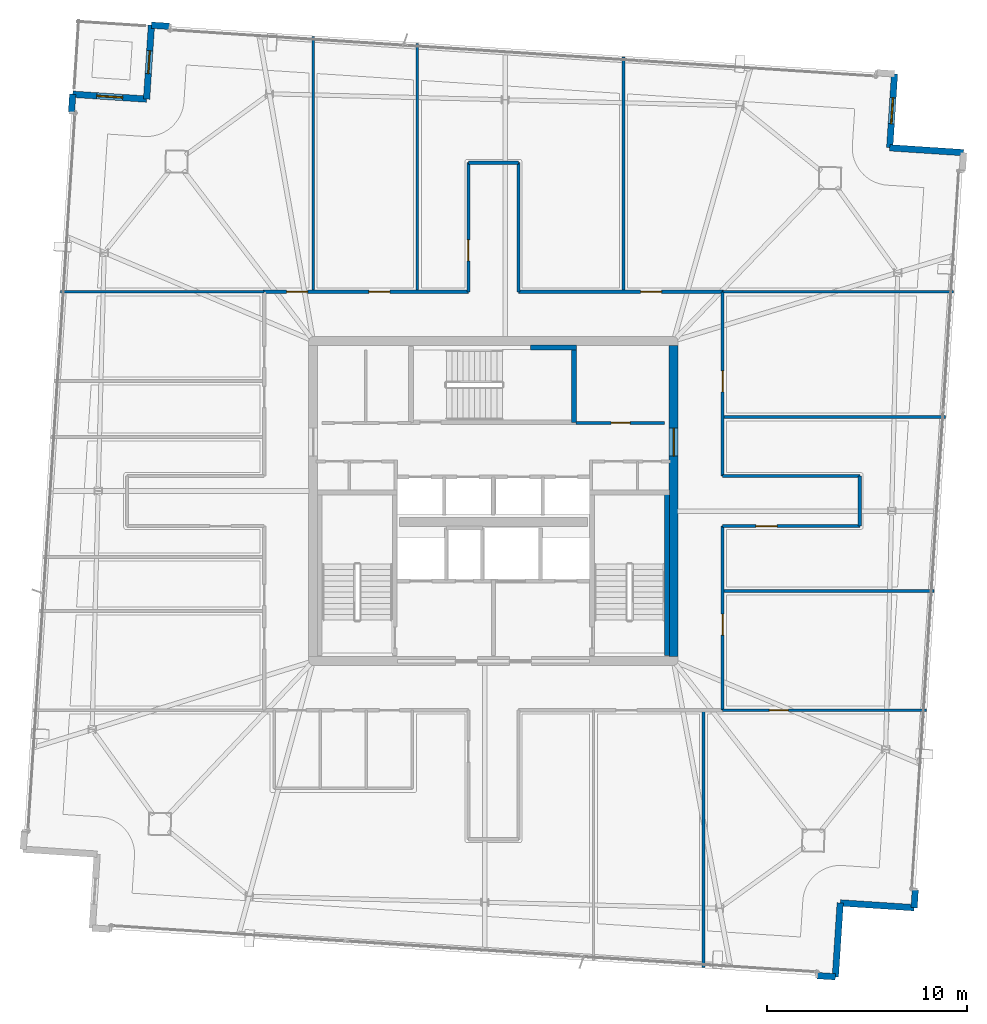
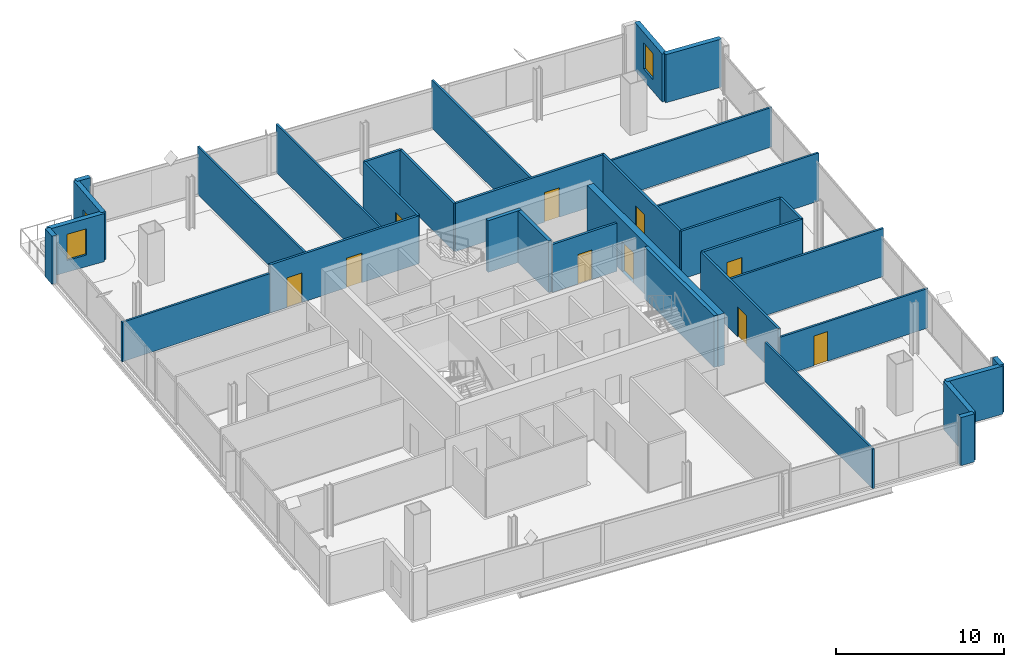
# One storey, part 20 of 24: 34 walls, 11 doors, 2 windows, 13 openings.
"""IFC4 building model written with IfcOpenShell, lengths in metres."""

from ifc_helpers import new_model, si_unit, direction, frame, frame_2d, origin, place, context, subcontext, project, spatial, rectangle, extrude, material, layer, layer_set, type_object, element, fill, save


model = new_model("IFC4")

# Units and contexts
model_context = context("Model", 3, precision=1e-05, world=origin(), true_north=direction((0.0, 1.0)))
body_context = subcontext(model_context, "Body", "Model", "MODEL_VIEW")
ifc_project = project(units=[si_unit("LENGTHUNIT", "METRE"), si_unit("AREAUNIT", "SQUARE_METRE"), si_unit("VOLUMEUNIT", "CUBIC_METRE"), si_unit("PLANEANGLEUNIT", "RADIAN"), si_unit("MASSUNIT", "GRAM", prefix="KILO")], contexts=[model_context])

# Site, building, storey
site_placement = place(None, origin())
site = spatial("IfcSite", under=ifc_project, at=site_placement, CompositionType="ELEMENT")
building_placement = place(site_placement, origin())
building = spatial("IfcBuilding", under=site, at=building_placement, Name="Haldenkirk Collegiate Tower", CompositionType="ELEMENT")
storey_placement = place(building_placement, frame((0.0, 0.0, 317.699951171875)))
storey = spatial("IfcBuildingStorey", under=building, at=storey_placement, Name="L80", CompositionType="ELEMENT", Elevation=317.699951171875)

# Wall, opening, door
ifc_material_1 = material(Name="Concrete f'c 55 MPa", Category="concrete")
ifc_layer_1 = layer(ifc_material_1, 0.449951171875)
ifc_layer_set_1 = layer_set([ifc_layer_1], Name="Concrete f'c 55 MPa")
wall_type_1 = type_object("IfcWallType", Name="WL-CORE-450", PredefinedType="SHEAR", material=ifc_layer_set_1)
wall_1_placement = place(storey_placement, frame((45.0, 18.22509765625, 0.0), z_axis=(0.0, 0.0, 1.0), x_axis=(0.0, 1.0, 0.0)))
wall_1 = element("IfcWall", 1, at=wall_1_placement, inside=storey, type_object=wall_type_1, Name="L80 central core shear wall E", PredefinedType="SHEAR", context=body_context, shape_type="SweptSolid", body=[
    extrude(rectangle(XDim=15.5498046875, YDim=0.449951171875, at=frame_2d((7.77490234375, 0.0))), origin(), (0.0, 0.0, 1.0), 3.75),
])
opening_1_placement = place(wall_1_placement, frame((10.014892578125, 0.0, 0.0)))
opening_1 = element("IfcOpeningElement", 2, at=opening_1_placement, cuts=wall_1, Name="Opening D-03", PredefinedType="OPENING", context=body_context, shape_type="SweptSolid", body=[
    extrude(rectangle(XDim=1.39990234375, YDim=2.199951171875, at=frame_2d((0.699951171875, 1.10009765625))), frame((0.0, 0.23486328125, 0.0), z_axis=(0.0, -1.0, 0.0), x_axis=(1.0, 0.0, 0.0)), (0.0, 0.0, 1.0), 0.469970703125),
])
ifc_material_2 = material(Name="Galvanized fire-rated hollow steel door", Category="steel")
ifc_layer_2 = layer(ifc_material_2, 0.06005859375)
ifc_layer_set_2 = layer_set([ifc_layer_2], Name="Galvanized fire-rated hollow steel door")
door_type_1 = type_object("IfcDoorType", Name="DR-LOBBY-FD90-1400", OperationType="NOTDEFINED", PredefinedType="DOOR", material=ifc_layer_set_2)
door_1_placement = place(opening_1_placement, origin())
door_1 = element("IfcDoor", 3, at=door_1_placement, inside=storey, type_object=door_type_1, Name="L80 east lift lobby portal", OperationType="DOUBLE_DOOR_SINGLE_SWING", OverallHeight=2.199951171875, OverallWidth=1.39990234375, PredefinedType="DOOR", context=body_context, shape_type="SweptSolid", body=[
    extrude(rectangle(XDim=1.39990234375, YDim=2.199951171875, at=frame_2d((0.699951171875, 1.10009765625))), frame((0.0, 0.02490234375, 0.0), z_axis=(0.0, -1.0, 0.0), x_axis=(1.0, 0.0, 0.0)), (0.0, 0.0, 1.0), 0.050048828125),
])
fill(opening_1, door_1)

# Walls
ifc_material_3 = material(Name="Precast concrete f'c 40 MPa", Category="concrete")
ifc_layer_3 = layer(ifc_material_3, 0.320068359375)
ifc_layer_set_3 = layer_set([ifc_layer_3], Name="Precast concrete f'c 40 MPa")
wall_type_2 = type_object("IfcWallType", Name="WL-EXT-TWR-320", PredefinedType="STANDARD", material=ifc_layer_set_3)
wall_2_placement = place(storey_placement, frame((57.074951171875, 6.580078125, 0.0), z_axis=(0.0, 0.0, 1.0), x_axis=(-0.065366831665, -0.997861301644, 0.0)))
element("IfcWall", 4, at=wall_2_placement, inside=storey, type_object=wall_type_2, Name="L80 precast corner pier SR", PredefinedType="STANDARD", context=body_context, shape_type="SweptSolid", body=[
    extrude(rectangle(XDim=0.900146484375, YDim=0.320068359375, at=frame_2d((0.4501953125, 0.0))), origin(), (0.0, 0.0, 1.0), 3.489990234375),
])
wall_3_placement = place(storey_placement, frame((55.79638671875, 43.64306640625, 0.0), z_axis=(0.0, 0.0, 1.0), x_axis=(0.997855253572, -0.065459093476, 0.0)))
element("IfcWall", 5, at=wall_3_placement, inside=storey, type_object=wall_type_2, Name="L80 bronze precast notch wall 02", PredefinedType="STANDARD", context=body_context, shape_type="SweptSolid", body=[
    extrude(rectangle(XDim=3.699951171875, YDim=0.320068359375, at=frame_2d((1.85009765625, 0.0))), origin(), (0.0, 0.0, 1.0), 3.489990234375),
])

# Wall, opening, window
wall_4_placement = place(storey_placement, frame((56.038330078125, 47.335205078125, 0.0), z_axis=(0.0, 0.0, 1.0), x_axis=(-0.065389083196, -0.997859843765, 0.0)))
wall_4 = element("IfcWall", 6, at=wall_4_placement, inside=storey, type_object=wall_type_2, Name="L80 bronze precast notch wall 03", PredefinedType="STANDARD", context=body_context, shape_type="SweptSolid", body=[
    extrude(rectangle(XDim=3.699951171875, YDim=0.320068359375, at=frame_2d((1.85009765625, 0.0))), origin(), (0.0, 0.0, 1.0), 3.489990234375),
])
opening_2_placement = place(wall_4_placement, frame((1.199951171875, 0.0, 0.85009765625)))
opening_2 = element("IfcOpeningElement", 7, at=opening_2_placement, cuts=wall_4, Name="Opening W-08", PredefinedType="OPENING", context=body_context, shape_type="SweptSolid", body=[
    extrude(rectangle(XDim=1.300048828125, YDim=1.89990234375, at=frame_2d((0.64990234375, 0.949951171875))), frame((0.0, 0.169921875, 0.0), z_axis=(0.0, -1.0, 0.0), x_axis=(1.0, 0.0, 0.0)), (0.0, 0.0, 1.0), 0.340087890625),
])
ifc_material_4 = material(Name="Low-E argon triple insulating glass", Category="glass")
ifc_layer_4 = layer(ifc_material_4, 0.090087890625)
ifc_layer_set_4 = layer_set([ifc_layer_4], Name="Low-E argon triple insulating glass")
window_type = type_object("IfcWindowType", Name="WN-Z6-1300X1900", PartitioningType="SINGLE_PANEL", PredefinedType="WINDOW", material=ifc_layer_set_4)
window_1_placement = place(opening_2_placement, origin())
window_1 = element("IfcWindow", 8, at=window_1_placement, inside=storey, type_object=window_type, Name="L80 precast-frame academic window 2", OverallHeight=1.89990234375, OverallWidth=1.300048828125, PartitioningType="SINGLE_PANEL", PredefinedType="WINDOW", context=body_context, shape_type="SweptSolid", body=[
    extrude(rectangle(XDim=1.300048828125, YDim=1.89990234375, at=frame_2d((0.64990234375, 0.949951171875))), frame((0.0, 0.030029296875, 0.0), z_axis=(0.0, -1.0, 0.0), x_axis=(1.0, 0.0, 0.0)), (0.0, 0.0, 1.0), 0.06005859375),
])
fill(opening_2, window_1)

# Wall
wall_5_placement = place(storey_placement, frame((18.91796875, 49.76806640625, 0.0), z_axis=(0.0, 0.0, 1.0), x_axis=(0.997860142248, -0.065384528081, 0.0)))
element("IfcWall", 9, at=wall_5_placement, inside=storey, type_object=wall_type_2, Name="L80 precast corner pier EL", PredefinedType="STANDARD", context=body_context, shape_type="SweptSolid", body=[
    extrude(rectangle(XDim=0.89990234375, YDim=0.320068359375, at=frame_2d((0.449951171875, 0.0))), origin(), (0.0, 0.0, 1.0), 3.489990234375),
])

# Wall, opening, door
wall_6_placement = place(storey_placement, frame((18.67578125, 46.075927734375, 0.0), z_axis=(0.0, 0.0, 1.0), x_axis=(0.065454783575, 0.997855536291, 0.0)))
wall_6 = element("IfcWall", 10, at=wall_6_placement, inside=storey, type_object=wall_type_2, Name="L80 bronze precast notch wall 05", PredefinedType="STANDARD", context=body_context, shape_type="SweptSolid", body=[
    extrude(rectangle(XDim=3.7001953125, YDim=0.320068359375, at=frame_2d((1.85009765625, 0.0))), origin(), (0.0, 0.0, 1.0), 3.489990234375),
])
opening_3_placement = place(wall_6_placement, frame((1.27490234375, 0.0, 0.0)))
opening_3 = element("IfcOpeningElement", 11, at=opening_3_placement, cuts=wall_6, Name="Opening D-ST11", PredefinedType="OPENING", context=body_context, shape_type="SweptSolid", body=[
    extrude(rectangle(XDim=1.14990234375, YDim=2.199951171875, at=frame_2d((0.574951171875, 1.10009765625))), frame((0.0, 0.169921875, 0.0), z_axis=(0.0, -1.0, 0.0), x_axis=(1.0, 0.0, 0.0)), (0.0, 0.0, 1.0), 0.340087890625),
])
ifc_material_5 = material(Name="Anodised architectural bronze aluminium", Category="aluminium")
ifc_layer_5 = layer(ifc_material_5, 0.080078125)
ifc_layer_set_5 = layer_set([ifc_layer_5], Name="Anodised architectural bronze aluminium")
door_type_2 = type_object("IfcDoorType", Name="DR-EXT-STER-1150", OperationType="NOTDEFINED", PredefinedType="DOOR", material=ifc_layer_set_5)
door_2_placement = place(opening_3_placement, origin())
door_2 = element("IfcDoor", 12, at=door_2_placement, inside=storey, type_object=door_type_2, Name="L80 spiralling terrace door", OperationType="SINGLE_SWING_LEFT", OverallHeight=2.199951171875, OverallWidth=1.14990234375, PredefinedType="DOOR", context=body_context, shape_type="SweptSolid", body=[
    extrude(rectangle(XDim=1.14990234375, YDim=2.199951171875, at=frame_2d((0.574951171875, 1.10009765625))), frame((0.0, 0.02490234375, 0.0), z_axis=(0.0, -1.0, 0.0), x_axis=(1.0, 0.0, 0.0)), (0.0, 0.0, 1.0), 0.050048828125),
])
fill(opening_3, door_2)

# Wall, opening, window
wall_7_placement = place(storey_placement, frame((14.98388671875, 46.318115234375, 0.0), z_axis=(0.0, 0.0, 1.0), x_axis=(0.997855253572, -0.065459093476, 0.0)))
wall_7 = element("IfcWall", 13, at=wall_7_placement, inside=storey, type_object=wall_type_2, Name="L80 bronze precast notch wall 06", PredefinedType="STANDARD", context=body_context, shape_type="SweptSolid", body=[
    extrude(rectangle(XDim=3.699951171875, YDim=0.320068359375, at=frame_2d((1.85009765625, 0.0))), origin(), (0.0, 0.0, 1.0), 3.489990234375),
])
opening_4_placement = place(wall_7_placement, frame((1.199951171875, 0.0, 0.85009765625)))
opening_4 = element("IfcOpeningElement", 14, at=opening_4_placement, cuts=wall_7, Name="Opening W-08", PredefinedType="OPENING", context=body_context, shape_type="SweptSolid", body=[
    extrude(rectangle(XDim=1.300048828125, YDim=1.89990234375, at=frame_2d((0.64990234375, 0.949951171875))), frame((0.0, 0.169921875, 0.0), z_axis=(0.0, -1.0, 0.0), x_axis=(1.0, 0.0, 0.0)), (0.0, 0.0, 1.0), 0.340087890625),
])
window_2_placement = place(opening_4_placement, origin())
window_2 = element("IfcWindow", 15, at=window_2_placement, inside=storey, type_object=window_type, Name="L80 precast-frame academic window 5", OverallHeight=1.89990234375, OverallWidth=1.300048828125, PartitioningType="SINGLE_PANEL", PredefinedType="WINDOW", context=body_context, shape_type="SweptSolid", body=[
    extrude(rectangle(XDim=1.300048828125, YDim=1.89990234375, at=frame_2d((0.64990234375, 0.949951171875))), frame((0.0, 0.030029296875, 0.0), z_axis=(0.0, -1.0, 0.0), x_axis=(1.0, 0.0, 0.0)), (0.0, 0.0, 1.0), 0.06005859375),
])
fill(opening_4, window_2)

# Walls
wall_8_placement = place(storey_placement, frame((14.925048828125, 45.419921875, 0.0), z_axis=(0.0, 0.0, 1.0), x_axis=(0.065366831665, 0.997861301644, 0.0)))
element("IfcWall", 16, at=wall_8_placement, inside=storey, type_object=wall_type_2, Name="L80 precast corner pier NR", PredefinedType="STANDARD", context=body_context, shape_type="SweptSolid", body=[
    extrude(rectangle(XDim=0.900146484375, YDim=0.320068359375, at=frame_2d((0.4501953125, 0.0))), origin(), (0.0, 0.0, 1.0), 3.489990234375),
])
wall_9_placement = place(storey_placement, frame((53.08203125, 2.23193359375, 0.0), z_axis=(0.0, 0.0, 1.0), x_axis=(-0.997860142248, 0.065384528081, 0.0)))
element("IfcWall", 17, at=wall_9_placement, inside=storey, type_object=wall_type_2, Name="L80 precast corner pier WL", PredefinedType="STANDARD", context=body_context, shape_type="SweptSolid", body=[
    extrude(rectangle(XDim=0.89990234375, YDim=0.320068359375, at=frame_2d((0.449951171875, 0.0))), origin(), (0.0, 0.0, 1.0), 3.489990234375),
])
wall_10_placement = place(storey_placement, frame((53.32421875, 5.924072265625, 0.0), z_axis=(0.0, 0.0, 1.0), x_axis=(-0.065454783575, -0.997855536291, 0.0)))
element("IfcWall", 18, at=wall_10_placement, inside=storey, type_object=wall_type_2, Name="L80 bronze precast notch wall 11", PredefinedType="STANDARD", context=body_context, shape_type="SweptSolid", body=[
    extrude(rectangle(XDim=3.7001953125, YDim=0.320068359375, at=frame_2d((1.85009765625, 0.0))), origin(), (0.0, 0.0, 1.0), 3.489990234375),
])
wall_11_placement = place(storey_placement, frame((57.01611328125, 5.681884765625, 0.0), z_axis=(0.0, 0.0, 1.0), x_axis=(-0.997855253572, 0.065459093476, 0.0)))
element("IfcWall", 19, at=wall_11_placement, inside=storey, type_object=wall_type_2, Name="L80 bronze precast notch wall 12", PredefinedType="STANDARD", context=body_context, shape_type="SweptSolid", body=[
    extrude(rectangle(XDim=3.699951171875, YDim=0.320068359375, at=frame_2d((1.85009765625, 0.0))), origin(), (0.0, 0.0, 1.0), 3.489990234375),
])

# Wall, opening, door
ifc_material_6 = material(Name="Acoustic fire-rated gypsum partition", Category="concrete")
ifc_layer_6 = layer(ifc_material_6, 0.159912109375)
ifc_layer_set_6 = layer_set([ifc_layer_6], Name="Acoustic fire-rated gypsum partition")
wall_type_3 = type_object("IfcWallType", Name="WL-INT-CORR-160", PredefinedType="PARTITIONING", material=ifc_layer_set_6)
wall_12_placement = place(storey_placement, frame((40.1201171875, 29.89990234375, 0.0), z_axis=(0.0, 0.0, 1.0), x_axis=(1.0, 0.0, 0.0)))
wall_12 = element("IfcWall", 20, at=wall_12_placement, inside=storey, type_object=wall_type_3, Name="L80 interior partition IW-L80-PMS", PredefinedType="PARTITIONING", context=body_context, shape_type="SweptSolid", body=[
    extrude(rectangle(XDim=4.429931640625, YDim=0.159912109375, at=frame_2d((2.21484375, 0.0))), origin(), (0.0, 0.0, 1.0), 3.489990234375),
])
opening_5_placement = place(wall_12_placement, frame((1.7548828125, 0.0, 0.0)))
opening_5 = element("IfcOpeningElement", 21, at=opening_5_placement, cuts=wall_12, Name="Opening D-10", PredefinedType="OPENING", context=body_context, shape_type="SweptSolid", body=[
    extrude(rectangle(XDim=0.949951171875, YDim=2.14990234375, at=frame_2d((0.47509765625, 1.074951171875))), frame((0.0, 0.08984375, 0.0), z_axis=(0.0, -1.0, 0.0), x_axis=(1.0, 0.0, 0.0)), (0.0, 0.0, 1.0), 0.179931640625),
])
ifc_material_7 = material(Name="Solid-core architectural oak fire door", Category="wood")
ifc_layer_7 = layer(ifc_material_7, 0.06005859375)
ifc_layer_set_7 = layer_set([ifc_layer_7], Name="Solid-core architectural oak fire door")
door_type_3 = type_object("IfcDoorType", Name="DR-INT-FD60-950", OperationType="NOTDEFINED", PredefinedType="DOOR", material=ifc_layer_set_7)
door_3_placement = place(opening_5_placement, origin())
door_3 = element("IfcDoor", 22, at=door_3_placement, inside=storey, type_object=door_type_3, Name="L80 reference archive door", OperationType="SINGLE_SWING_RIGHT", OverallHeight=2.14990234375, OverallWidth=0.949951171875, PredefinedType="DOOR", context=body_context, shape_type="SweptSolid", body=[
    extrude(rectangle(XDim=0.949951171875, YDim=2.14990234375, at=frame_2d((0.47509765625, 1.074951171875))), frame((0.0, 0.02490234375, 0.0), z_axis=(0.0, -1.0, 0.0), x_axis=(1.0, 0.0, 0.0)), (0.0, 0.0, 1.0), 0.050048828125),
])
fill(opening_5, door_3)

# Wall, openings, doors
wall_13_placement = place(storey_placement, frame((24.5, 36.449951171875, 0.0), z_axis=(0.0, 0.0, 1.0), x_axis=(1.0, 0.0, 0.0)))
wall_13 = element("IfcWall", 23, at=wall_13_placement, inside=storey, type_object=wall_type_3, Name="L80 interior partition IW-L80-CN1", PredefinedType="PARTITIONING", context=body_context, shape_type="SweptSolid", body=[
    extrude(rectangle(XDim=10.25, YDim=0.159912109375, at=frame_2d((5.125, 0.0))), origin(), (0.0, 0.0, 1.0), 3.489990234375),
])
opening_6_placement = place(wall_13_placement, frame((1.169921875, 0.0, 0.0)))
opening_6 = element("IfcOpeningElement", 24, at=opening_6_placement, cuts=wall_13, Name="Opening D-09", PredefinedType="OPENING", context=body_context, shape_type="SweptSolid", body=[
    extrude(rectangle(XDim=1.050048828125, YDim=2.14990234375, at=frame_2d((0.52490234375, 1.074951171875))), frame((0.0, 0.08984375, 0.0), z_axis=(0.0, -1.0, 0.0), x_axis=(1.0, 0.0, 0.0)), (0.0, 0.0, 1.0), 0.179931640625),
])
opening_7_placement = place(wall_13_placement, frame((5.279052734375, 0.0, 0.0)))
opening_7 = element("IfcOpeningElement", 25, at=opening_7_placement, cuts=wall_13, Name="Opening D-09", PredefinedType="OPENING", context=body_context, shape_type="SweptSolid", body=[
    extrude(rectangle(XDim=1.050048828125, YDim=2.14990234375, at=frame_2d((0.52490234375, 1.074951171875))), frame((0.0, 0.08984375, 0.0), z_axis=(0.0, -1.0, 0.0), x_axis=(1.0, 0.0, 0.0)), (0.0, 0.0, 1.0), 0.179931640625),
])
ifc_layer_8 = layer(ifc_material_7, 0.06005859375)
ifc_layer_set_8 = layer_set([ifc_layer_8], Name="Solid-core architectural oak fire door")
door_type_4 = type_object("IfcDoorType", Name="DR-INT-FD60-1050", OperationType="NOTDEFINED", PredefinedType="DOOR", material=ifc_layer_set_8)
door_4_placement = place(opening_6_placement, origin())
door_4 = element("IfcDoor", 26, at=door_4_placement, inside=storey, type_object=door_type_4, Name="L80 Student Reading Lounge 4 door", OperationType="SINGLE_SWING_LEFT", OverallHeight=2.14990234375, OverallWidth=1.050048828125, PredefinedType="DOOR", context=body_context, shape_type="SweptSolid", body=[
    extrude(rectangle(XDim=1.050048828125, YDim=2.14990234375, at=frame_2d((0.52490234375, 1.074951171875))), frame((0.0, 0.02490234375, 0.0), z_axis=(0.0, -1.0, 0.0), x_axis=(1.0, 0.0, 0.0)), (0.0, 0.0, 1.0), 0.050048828125),
])
fill(opening_6, door_4)
door_5_placement = place(opening_7_placement, origin())
door_5 = element("IfcDoor", 27, at=door_5_placement, inside=storey, type_object=door_type_4, Name="L80 Reading Commons Lounge 5 door", OperationType="SINGLE_SWING_RIGHT", OverallHeight=2.14990234375, OverallWidth=1.050048828125, PredefinedType="DOOR", context=body_context, shape_type="SweptSolid", body=[
    extrude(rectangle(XDim=1.050048828125, YDim=2.14990234375, at=frame_2d((0.52490234375, 1.074951171875))), frame((0.0, 0.02490234375, 0.0), z_axis=(0.0, -1.0, 0.0), x_axis=(1.0, 0.0, 0.0)), (0.0, 0.0, 1.0), 0.050048828125),
])
fill(opening_7, door_5)

# Wall, opening, door
wall_14_placement = place(storey_placement, frame((37.25, 36.449951171875, 0.0), z_axis=(0.0, 0.0, 1.0), x_axis=(1.0, 0.0, 0.0)))
wall_14 = element("IfcWall", 28, at=wall_14_placement, inside=storey, type_object=wall_type_3, Name="L80 interior partition IW-L80-CN2", PredefinedType="PARTITIONING", context=body_context, shape_type="SweptSolid", body=[
    extrude(rectangle(XDim=10.25, YDim=0.159912109375, at=frame_2d((5.125, 0.0))), origin(), (0.0, 0.0, 1.0), 3.489990234375),
])
opening_8_placement = place(wall_14_placement, frame((6.09912109375, 0.0, 0.0)))
opening_8 = element("IfcOpeningElement", 29, at=opening_8_placement, cuts=wall_14, Name="Opening D-09", PredefinedType="OPENING", context=body_context, shape_type="SweptSolid", body=[
    extrude(rectangle(XDim=1.050048828125, YDim=2.14990234375, at=frame_2d((0.52490234375, 1.074951171875))), frame((0.0, 0.08984375, 0.0), z_axis=(0.0, -1.0, 0.0), x_axis=(1.0, 0.0, 0.0)), (0.0, 0.0, 1.0), 0.179931640625),
])
door_6_placement = place(opening_8_placement, origin())
door_6 = element("IfcDoor", 30, at=door_6_placement, inside=storey, type_object=door_type_4, Name="L80 Special Collections Archive 7 door", OperationType="SINGLE_SWING_RIGHT", OverallHeight=2.14990234375, OverallWidth=1.050048828125, PredefinedType="DOOR", context=body_context, shape_type="SweptSolid", body=[
    extrude(rectangle(XDim=1.050048828125, YDim=2.14990234375, at=frame_2d((0.52490234375, 1.074951171875))), frame((0.0, 0.02490234375, 0.0), z_axis=(0.0, -1.0, 0.0), x_axis=(1.0, 0.0, 0.0)), (0.0, 0.0, 1.0), 0.050048828125),
])
fill(opening_8, door_6)

wall_15_placement = place(storey_placement, frame((47.449951171875, 15.550048828125, 0.0), z_axis=(0.0, 0.0, 1.0), x_axis=(0.0, 1.0, 0.0)))
wall_15 = element("IfcWall", 31, at=wall_15_placement, inside=storey, type_object=wall_type_3, Name="L80 interior partition IW-L80-CE1", PredefinedType="PARTITIONING", context=body_context, shape_type="SweptSolid", body=[
    extrude(rectangle(XDim=9.199951171875, YDim=0.159912109375, at=frame_2d((4.60009765625, 0.0))), origin(), (0.0, 0.0, 1.0), 3.489990234375),
])
opening_9_placement = place(wall_15_placement, frame((3.7470703125, 0.0, 0.0)))
opening_9 = element("IfcOpeningElement", 32, at=opening_9_placement, cuts=wall_15, Name="Opening D-09", PredefinedType="OPENING", context=body_context, shape_type="SweptSolid", body=[
    extrude(rectangle(XDim=1.050048828125, YDim=2.14990234375, at=frame_2d((0.52490234375, 1.074951171875))), frame((0.0, 0.08984375, 0.0), z_axis=(0.0, -1.0, 0.0), x_axis=(1.0, 0.0, 0.0)), (0.0, 0.0, 1.0), 0.179931640625),
])
door_7_placement = place(opening_9_placement, origin())
door_7 = element("IfcDoor", 33, at=door_7_placement, inside=storey, type_object=door_type_4, Name="L80 Special Collections Archive 13 door", OperationType="SINGLE_SWING_RIGHT", OverallHeight=2.14990234375, OverallWidth=1.050048828125, PredefinedType="DOOR", context=body_context, shape_type="SweptSolid", body=[
    extrude(rectangle(XDim=1.050048828125, YDim=2.14990234375, at=frame_2d((0.52490234375, 1.074951171875))), frame((0.0, 0.02490234375, 0.0), z_axis=(0.0, -1.0, 0.0), x_axis=(1.0, 0.0, 0.0)), (0.0, 0.0, 1.0), 0.050048828125),
])
fill(opening_9, door_7)

wall_16_placement = place(storey_placement, frame((47.449951171875, 27.25, 0.0), z_axis=(0.0, 0.0, 1.0), x_axis=(0.0, 1.0, 0.0)))
wall_16 = element("IfcWall", 34, at=wall_16_placement, inside=storey, type_object=wall_type_3, Name="L80 interior partition IW-L80-CE2", PredefinedType="PARTITIONING", context=body_context, shape_type="SweptSolid", body=[
    extrude(rectangle(XDim=9.199951171875, YDim=0.159912109375, at=frame_2d((4.60009765625, 0.0))), origin(), (0.0, 0.0, 1.0), 3.489990234375),
])
opening_10_placement = place(wall_16_placement, frame((4.198974609375, 0.0, 0.0)))
opening_10 = element("IfcOpeningElement", 35, at=opening_10_placement, cuts=wall_16, Name="Opening D-09", PredefinedType="OPENING", context=body_context, shape_type="SweptSolid", body=[
    extrude(rectangle(XDim=1.050048828125, YDim=2.14990234375, at=frame_2d((0.52490234375, 1.074951171875))), frame((0.0, 0.08984375, 0.0), z_axis=(0.0, -1.0, 0.0), x_axis=(1.0, 0.0, 0.0)), (0.0, 0.0, 1.0), 0.179931640625),
])
door_8_placement = place(opening_10_placement, origin())
door_8 = element("IfcDoor", 36, at=door_8_placement, inside=storey, type_object=door_type_4, Name="L80 Treaty Archive Store 15 door", OperationType="SINGLE_SWING_RIGHT", OverallHeight=2.14990234375, OverallWidth=1.050048828125, PredefinedType="DOOR", context=body_context, shape_type="SweptSolid", body=[
    extrude(rectangle(XDim=1.050048828125, YDim=2.14990234375, at=frame_2d((0.52490234375, 1.074951171875))), frame((0.0, 0.02490234375, 0.0), z_axis=(0.0, -1.0, 0.0), x_axis=(1.0, 0.0, 0.0)), (0.0, 0.0, 1.0), 0.050048828125),
])
fill(opening_10, door_8)

wall_17_placement = place(storey_placement, frame((34.75, 36.449951171875, 0.0), z_axis=(0.0, 0.0, 1.0), x_axis=(0.0, 1.0, 0.0)))
wall_17 = element("IfcWall", 37, at=wall_17_placement, inside=storey, type_object=wall_type_3, Name="L80 interior partition IW-L80-NPW", PredefinedType="PARTITIONING", context=body_context, shape_type="SweptSolid", body=[
    extrude(rectangle(XDim=6.449951171875, YDim=0.159912109375, at=frame_2d((3.22509765625, 0.0))), origin(), (0.0, 0.0, 1.0), 3.489990234375),
])
opening_11_placement = place(wall_17_placement, frame((1.5390625, 0.0, 0.0)))
opening_11 = element("IfcOpeningElement", 38, at=opening_11_placement, cuts=wall_17, Name="Opening D-09", PredefinedType="OPENING", context=body_context, shape_type="SweptSolid", body=[
    extrude(rectangle(XDim=1.050048828125, YDim=2.14990234375, at=frame_2d((0.52490234375, 1.074951171875))), frame((0.0, 0.08984375, 0.0), z_axis=(0.0, -1.0, 0.0), x_axis=(1.0, 0.0, 0.0)), (0.0, 0.0, 1.0), 0.179931640625),
])
door_9_placement = place(opening_11_placement, origin())
door_9 = element("IfcDoor", 39, at=door_9_placement, inside=storey, type_object=door_type_4, Name="L80 Periodical Reading Lounge 6 door", OperationType="SINGLE_SWING_LEFT", OverallHeight=2.14990234375, OverallWidth=1.050048828125, PredefinedType="DOOR", context=body_context, shape_type="SweptSolid", body=[
    extrude(rectangle(XDim=1.050048828125, YDim=2.14990234375, at=frame_2d((0.52490234375, 1.074951171875))), frame((0.0, 0.02490234375, 0.0), z_axis=(0.0, -1.0, 0.0), x_axis=(1.0, 0.0, 0.0)), (0.0, 0.0, 1.0), 0.050048828125),
])
fill(opening_11, door_9)

# Walls
wall_18_placement = place(storey_placement, frame((37.25, 36.449951171875, 0.0), z_axis=(0.0, 0.0, 1.0), x_axis=(0.0, 1.0, 0.0)))
element("IfcWall", 40, at=wall_18_placement, inside=storey, type_object=wall_type_3, Name="L80 interior partition IW-L80-NPE", PredefinedType="PARTITIONING", context=body_context, shape_type="SweptSolid", body=[
    extrude(rectangle(XDim=6.449951171875, YDim=0.159912109375, at=frame_2d((3.22509765625, 0.0))), origin(), (0.0, 0.0, 1.0), 3.489990234375),
])
wall_19_placement = place(storey_placement, frame((34.75, 42.89990234375, 0.0), z_axis=(0.0, 0.0, 1.0), x_axis=(1.0, 0.0, 0.0)))
element("IfcWall", 41, at=wall_19_placement, inside=storey, type_object=wall_type_3, Name="L80 interior partition IW-L80-NPN", PredefinedType="PARTITIONING", context=body_context, shape_type="SweptSolid", body=[
    extrude(rectangle(XDim=2.5, YDim=0.159912109375, at=frame_2d((1.25, 0.0))), origin(), (0.0, 0.0, 1.0), 3.489990234375),
])

# Wall, opening, door
wall_20_placement = place(storey_placement, frame((47.449951171875, 24.75, 0.0), z_axis=(0.0, 0.0, 1.0), x_axis=(1.0, 0.0, 0.0)))
wall_20 = element("IfcWall", 42, at=wall_20_placement, inside=storey, type_object=wall_type_3, Name="L80 interior partition IW-L80-EPS", PredefinedType="PARTITIONING", context=body_context, shape_type="SweptSolid", body=[
    extrude(rectangle(XDim=6.85009765625, YDim=0.159912109375, at=frame_2d((3.425048828125, 0.0))), origin(), (0.0, 0.0, 1.0), 3.489990234375),
])
opening_12_placement = place(wall_20_placement, frame((1.6669921875, 0.0, 0.0)))
opening_12 = element("IfcOpeningElement", 43, at=opening_12_placement, cuts=wall_20, Name="Opening D-09", PredefinedType="OPENING", context=body_context, shape_type="SweptSolid", body=[
    extrude(rectangle(XDim=1.050048828125, YDim=2.14990234375, at=frame_2d((0.52490234375, 1.074951171875))), frame((0.0, 0.08984375, 0.0), z_axis=(0.0, -1.0, 0.0), x_axis=(1.0, 0.0, 0.0)), (0.0, 0.0, 1.0), 0.179931640625),
])
door_10_placement = place(opening_12_placement, origin())
door_10 = element("IfcDoor", 44, at=door_10_placement, inside=storey, type_object=door_type_4, Name="L80 Rare Folio Vault 14 door", OperationType="SINGLE_SWING_LEFT", OverallHeight=2.14990234375, OverallWidth=1.050048828125, PredefinedType="DOOR", context=body_context, shape_type="SweptSolid", body=[
    extrude(rectangle(XDim=1.050048828125, YDim=2.14990234375, at=frame_2d((0.52490234375, 1.074951171875))), frame((0.0, 0.02490234375, 0.0), z_axis=(0.0, -1.0, 0.0), x_axis=(1.0, 0.0, 0.0)), (0.0, 0.0, 1.0), 0.050048828125),
])
fill(opening_12, door_10)

# Walls
wall_21_placement = place(storey_placement, frame((47.449951171875, 27.25, 0.0), z_axis=(0.0, 0.0, 1.0), x_axis=(1.0, 0.0, 0.0)))
element("IfcWall", 45, at=wall_21_placement, inside=storey, type_object=wall_type_3, Name="L80 interior partition IW-L80-EPN", PredefinedType="PARTITIONING", context=body_context, shape_type="SweptSolid", body=[
    extrude(rectangle(XDim=6.85009765625, YDim=0.159912109375, at=frame_2d((3.425048828125, 0.0))), origin(), (0.0, 0.0, 1.0), 3.489990234375),
])
wall_22_placement = place(storey_placement, frame((54.300048828125, 24.75, 0.0), z_axis=(0.0, 0.0, 1.0), x_axis=(0.0, 1.0, 0.0)))
element("IfcWall", 46, at=wall_22_placement, inside=storey, type_object=wall_type_3, Name="L80 interior partition IW-L80-EPE", PredefinedType="PARTITIONING", context=body_context, shape_type="SweptSolid", body=[
    extrude(rectangle(XDim=2.5, YDim=0.159912109375, at=frame_2d((1.25, 0.0))), origin(), (0.0, 0.0, 1.0), 3.489990234375),
])
ifc_layer_9 = layer(ifc_material_6, 0.139892578125)
ifc_layer_set_9 = layer_set([ifc_layer_9], Name="Acoustic fire-rated gypsum partition")
wall_type_4 = type_object("IfcWallType", Name="WL-INT-DIV-140", PredefinedType="PARTITIONING", material=ifc_layer_set_9)
wall_23_placement = place(storey_placement, frame((14.377197265625, 36.449951171875, 0.0), z_axis=(0.0, 0.0, 1.0), x_axis=(1.0, 0.0, 0.0)))
element("IfcWall", 47, at=wall_23_placement, inside=storey, type_object=wall_type_4, Name="L80 interior partition IW-L80-BWN", PredefinedType="PARTITIONING", context=body_context, shape_type="SweptSolid", body=[
    extrude(rectangle(XDim=10.1728515625, YDim=0.139892578125, at=frame_2d((5.08642578125, 0.0))), origin(), (0.0, 0.0, 1.0), 2.8681640625),
])

# Wall, opening, door
wall_24_placement = place(storey_placement, frame((47.449951171875, 15.550048828125, 0.0), z_axis=(0.0, 0.0, 1.0), x_axis=(1.0, 0.0, 0.0)))
wall_24 = element("IfcWall", 48, at=wall_24_placement, inside=storey, type_object=wall_type_4, Name="L80 interior partition IW-L80-BES", PredefinedType="PARTITIONING", context=body_context, shape_type="SweptSolid", body=[
    extrude(rectangle(XDim=10.1728515625, YDim=0.139892578125, at=frame_2d((5.08642578125, 0.0))), origin(), (0.0, 0.0, 1.0), 2.8681640625),
])
opening_13_placement = place(wall_24_placement, frame((2.339111328125, 0.0, 0.0)))
opening_13 = element("IfcOpeningElement", 49, at=opening_13_placement, cuts=wall_24, Name="Opening D-12", PredefinedType="OPENING", context=body_context, shape_type="SweptSolid", body=[
    extrude(rectangle(XDim=0.949951171875, YDim=2.14990234375, at=frame_2d((0.47509765625, 1.074951171875))), frame((0.0, 0.079833984375, 0.0), z_axis=(0.0, -1.0, 0.0), x_axis=(1.0, 0.0, 0.0)), (0.0, 0.0, 1.0), 0.159912109375),
])
ifc_layer_10 = layer(ifc_material_7, 0.06005859375)
ifc_layer_set_10 = layer_set([ifc_layer_10], Name="Solid-core architectural oak fire door")
door_type_5 = type_object("IfcDoorType", Name="DR-INT-STD-950", OperationType="NOTDEFINED", PredefinedType="DOOR", material=ifc_layer_set_10)
door_11_placement = place(opening_13_placement, origin())
door_11 = element("IfcDoor", 50, at=door_11_placement, inside=storey, type_object=door_type_5, Name="L80 Treaty Archive Store 3 door", OperationType="SINGLE_SWING_RIGHT", OverallHeight=2.14990234375, OverallWidth=0.949951171875, PredefinedType="DOOR", context=body_context, shape_type="SweptSolid", body=[
    extrude(rectangle(XDim=0.949951171875, YDim=2.14990234375, at=frame_2d((0.47509765625, 1.074951171875))), frame((0.0, 0.02490234375, 0.0), z_axis=(0.0, -1.0, 0.0), x_axis=(1.0, 0.0, 0.0)), (0.0, 0.0, 1.0), 0.050048828125),
])
fill(opening_13, door_11)

# Walls
wall_25_placement = place(storey_placement, frame((47.449951171875, 36.449951171875, 0.0), z_axis=(0.0, 0.0, 1.0), x_axis=(1.0, 0.0, 0.0)))
element("IfcWall", 51, at=wall_25_placement, inside=storey, type_object=wall_type_4, Name="L80 interior partition IW-L80-BEN", PredefinedType="PARTITIONING", context=body_context, shape_type="SweptSolid", body=[
    extrude(rectangle(XDim=11.542724609375, YDim=0.139892578125, at=frame_2d((5.771484375, 0.0))), origin(), (0.0, 0.0, 1.0), 2.8681640625),
])
wall_26_placement = place(storey_placement, frame((46.5, 2.703369140625, 0.0), z_axis=(0.0, 0.0, 1.0), x_axis=(0.0, 1.0, 0.0)))
element("IfcWall", 52, at=wall_26_placement, inside=storey, type_object=wall_type_4, Name="L80 interior partition IW-L80-RS2", PredefinedType="PARTITIONING", context=body_context, shape_type="SweptSolid", body=[
    extrude(rectangle(XDim=12.8466796875, YDim=0.139892578125, at=frame_2d((6.42333984375, 0.0))), origin(), (0.0, 0.0, 1.0), 2.8681640625),
])
wall_27_placement = place(storey_placement, frame((27.0, 36.449951171875, 0.0), z_axis=(0.0, 0.0, 1.0), x_axis=(0.0, 1.0, 0.0)))
element("IfcWall", 53, at=wall_27_placement, inside=storey, type_object=wall_type_4, Name="L80 interior partition IW-L80-RN1", PredefinedType="PARTITIONING", context=body_context, shape_type="SweptSolid", body=[
    extrude(rectangle(XDim=12.748291015625, YDim=0.139892578125, at=frame_2d((6.3740234375, 0.0))), origin(), (0.0, 0.0, 1.0), 3.489990234375),
])
wall_28_placement = place(storey_placement, frame((32.199951171875, 36.449951171875, 0.0), z_axis=(0.0, 0.0, 1.0), x_axis=(0.0, 1.0, 0.0)))
element("IfcWall", 54, at=wall_28_placement, inside=storey, type_object=wall_type_4, Name="L80 interior partition IW-L80-RN2", PredefinedType="PARTITIONING", context=body_context, shape_type="SweptSolid", body=[
    extrude(rectangle(XDim=12.407470703125, YDim=0.139892578125, at=frame_2d((6.20361328125, 0.0))), origin(), (0.0, 0.0, 1.0), 3.489990234375),
])
wall_29_placement = place(storey_placement, frame((42.5, 36.449951171875, 0.0), z_axis=(0.0, 0.0, 1.0), x_axis=(0.0, 1.0, 0.0)))
element("IfcWall", 55, at=wall_29_placement, inside=storey, type_object=wall_type_4, Name="L80 interior partition IW-L80-RN3", PredefinedType="PARTITIONING", context=body_context, shape_type="SweptSolid", body=[
    extrude(rectangle(XDim=11.732421875, YDim=0.139892578125, at=frame_2d((5.8662109375, 0.0))), origin(), (0.0, 0.0, 1.0), 3.489990234375),
])
wall_30_placement = place(storey_placement, frame((47.449951171875, 21.5, 0.0), z_axis=(0.0, 0.0, 1.0), x_axis=(1.0, 0.0, 0.0)))
element("IfcWall", 56, at=wall_30_placement, inside=storey, type_object=wall_type_4, Name="L80 interior partition IW-L80-RE1", PredefinedType="PARTITIONING", context=body_context, shape_type="SweptSolid", body=[
    extrude(rectangle(XDim=10.562744140625, YDim=0.139892578125, at=frame_2d((5.28125, 0.0))), origin(), (0.0, 0.0, 1.0), 3.489990234375),
])
wall_31_placement = place(storey_placement, frame((47.449951171875, 30.199951171875, 0.0), z_axis=(0.0, 0.0, 1.0), x_axis=(1.0, 0.0, 0.0)))
element("IfcWall", 57, at=wall_31_placement, inside=storey, type_object=wall_type_4, Name="L80 interior partition IW-L80-RE2", PredefinedType="PARTITIONING", context=body_context, shape_type="SweptSolid", body=[
    extrude(rectangle(XDim=11.133056640625, YDim=0.139892578125, at=frame_2d((5.56640625, 0.0))), origin(), (0.0, 0.0, 1.0), 3.489990234375),
])
ifc_layer_11 = layer(ifc_material_1, 0.239990234375)
ifc_layer_set_11 = layer_set([ifc_layer_11], Name="Concrete f'c 55 MPa")
wall_type_5 = type_object("IfcWallType", Name="WL-SHAFT-240", PredefinedType="SHEAR", material=ifc_layer_set_11)
wall_32_placement = place(storey_placement, frame((44.669921875, 18.280029296875, 0.0), z_axis=(0.0, 0.0, 1.0), x_axis=(0.0, 1.0, 0.0)))
element("IfcWall", 58, at=wall_32_placement, inside=storey, type_object=wall_type_5, Name="L80 stair shaft shear wall SW-L80-ST2E", PredefinedType="SHEAR", context=body_context, shape_type="SweptSolid", body=[
    extrude(rectangle(XDim=8.260009765625, YDim=0.239990234375, at=frame_2d((4.1298828125, 0.0))), origin(), (0.0, 0.0, 1.0), 3.75),
])
wall_33_placement = place(storey_placement, frame((40.02001953125, 29.929931640625, 0.0), z_axis=(0.0, 0.0, 1.0), x_axis=(0.0, 1.0, 0.0)))
element("IfcWall", 59, at=wall_33_placement, inside=storey, type_object=wall_type_5, Name="L80 stair shaft shear wall SW-L80-ST3E", PredefinedType="SHEAR", context=body_context, shape_type="SweptSolid", body=[
    extrude(rectangle(XDim=3.85009765625, YDim=0.239990234375, at=frame_2d((1.925048828125, 0.0))), origin(), (0.0, 0.0, 1.0), 3.75),
])
wall_34_placement = place(storey_placement, frame((37.85009765625, 33.659912109375, 0.0), z_axis=(0.0, 0.0, 1.0), x_axis=(1.0, 0.0, 0.0)))
element("IfcWall", 60, at=wall_34_placement, inside=storey, type_object=wall_type_5, Name="L80 stair shaft shear wall SW-L80-ST3N", PredefinedType="SHEAR", context=body_context, shape_type="SweptSolid", body=[
    extrude(rectangle(XDim=2.289794921875, YDim=0.239990234375, at=frame_2d((1.14501953125, 0.0))), origin(), (0.0, 0.0, 1.0), 3.75),
])

save(model, "model.ifc")
